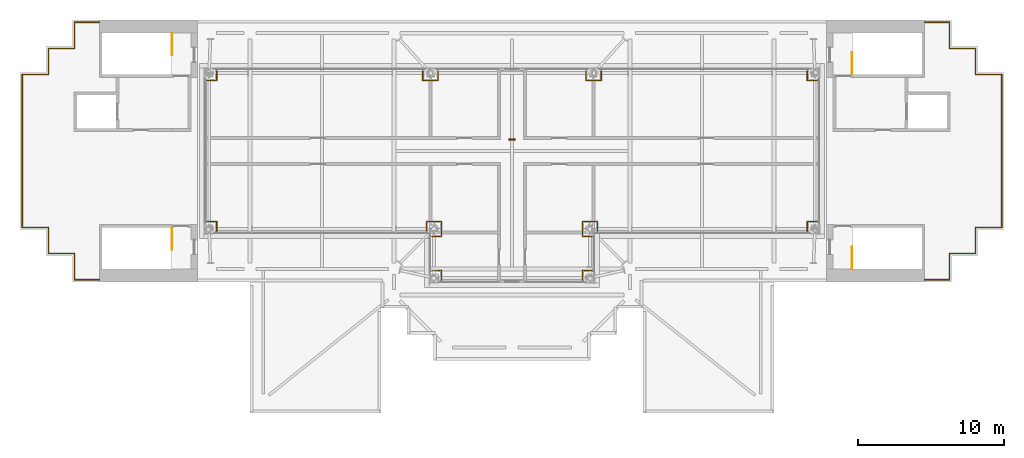
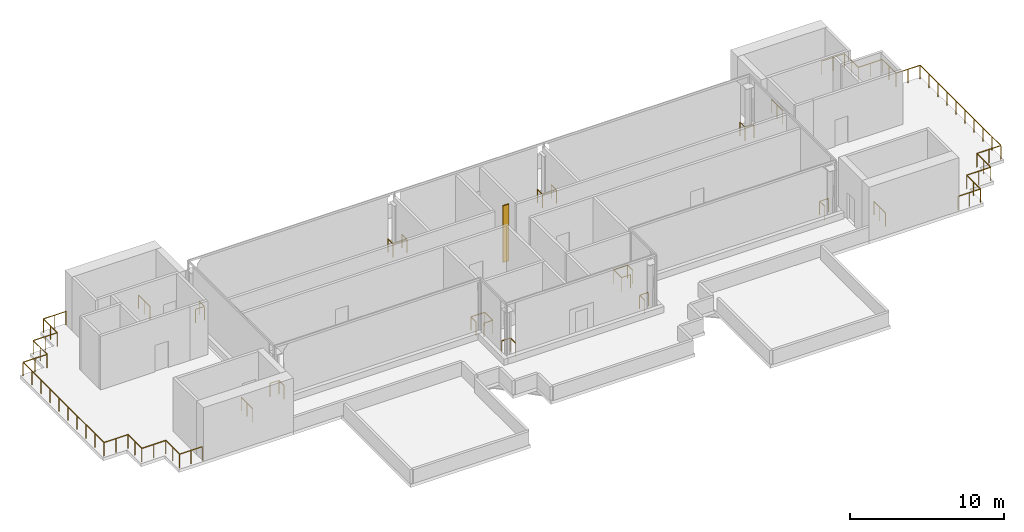
# One storey, part 8 of 8: 19 railings.
"""IFC4 building model written with IfcOpenShell, lengths in metres."""

import ifcopenshell
import ifcopenshell.guid

model = None  # the IFC model being written
_history = None  # IfcOwnerHistory: only IFC2X3 demands one
_inside = {}  # id of a spatial element -> (the spatial element, [elements in it])
_under = {}  # id of a project, library or spatial element -> (it, [spatial elements below it])
_declared = {}  # id of a project -> (the project, [libraries it declares])
_typed = {}  # id of a type object -> (the type object, [elements of that type])
_made_of = {}  # id of a material, layer set ... -> (it, [elements and type objects made of it])


def new_model(schema):
    """Start an empty IFC model of exactly this schema.

    Asked for "IFC4X3", IfcOpenShell would pick the latest addendum, in which some entities
    have other attributes; the version numbers below select the first issue.
    IFC2X3 requires an IfcOwnerHistory on every rooted entity: one is made here for all.
    """
    global model, _history
    if schema == "IFC4X3":
        model = ifcopenshell.file(schema_version=(4, 3, 0, 0))
    else:
        model = ifcopenshell.file(schema=schema)
    _inside.clear()
    _under.clear()
    _declared.clear()
    _typed.clear()
    _made_of.clear()
    _history = None
    if model.schema == "IFC2X3":
        org = make("IfcOrganization", Name="unknown")
        user = make(
            "IfcPersonAndOrganization",
            ThePerson=make("IfcPerson", FamilyName="unknown"),
            TheOrganization=org,
        )
        app = make(
            "IfcApplication",
            ApplicationDeveloper=org,
            Version="unknown",
            ApplicationFullName="unknown",
            ApplicationIdentifier="unknown",
        )
        _history = make(
            "IfcOwnerHistory",
            OwningUser=user,
            OwningApplication=app,
            ChangeAction="ADDED",
            CreationDate=0,
        )
    return model


def make(cls, **values):
    """One entity of the class cls with the attributes given. An attribute that is None is left unset."""
    return model.create_entity(
        cls, **{name: value for name, value in values.items() if value is not None}
    )


def rooted(cls, **values):
    """An entity with a GlobalId (a new one), such as an element, a storey or a relation."""
    return make(cls, GlobalId=ifcopenshell.guid.new(), OwnerHistory=_history, **values)


def si_unit(unit_type, name, prefix=None):
    """IfcSIUnit, for example si_unit("LENGTHUNIT", "METRE", prefix="MILLI")."""
    return make("IfcSIUnit", UnitType=unit_type, Prefix=prefix, Name=name)


def assignment(units):
    """IfcUnitAssignment: the units of a project."""
    return None if units is None else make("IfcUnitAssignment", Units=units)


def point(xyz):
    """IfcCartesianPoint."""
    return None if xyz is None else make("IfcCartesianPoint", Coordinates=xyz)


def direction(xyz):
    """IfcDirection."""
    return None if xyz is None else make("IfcDirection", DirectionRatios=xyz)


def frame(location, z_axis=None, x_axis=None):
    """IfcAxis2Placement3D, a coordinate frame: its origin and axes. An axis left out is left unset."""
    return make(
        "IfcAxis2Placement3D",
        Location=point(location),
        Axis=direction(z_axis),
        RefDirection=direction(x_axis),
    )


def frame_2d(location, x_axis=None):
    """IfcAxis2Placement2D, a coordinate frame in the plane: its origin and x axis."""
    return make(
        "IfcAxis2Placement2D", Location=point(location), RefDirection=direction(x_axis)
    )


def origin():
    """The frame at (0, 0, 0) with its axes left unset."""
    return frame((0.0, 0.0, 0.0))


def origin_2d():
    """The frame at (0, 0) in the plane with its x axis left unset."""
    return frame_2d((0.0, 0.0))


def place(relative_to, where):
    """IfcLocalPlacement: puts the frame where relative to a parent placement (None: the world)."""
    return make(
        "IfcLocalPlacement", PlacementRelTo=relative_to, RelativePlacement=where
    )


def context(
    kind, dimensions, precision=None, world=None, true_north=None, identifier=None
):
    """IfcGeometricRepresentationContext, for example the 3D "Model" context."""
    return make(
        "IfcGeometricRepresentationContext",
        ContextIdentifier=identifier,
        ContextType=kind,
        CoordinateSpaceDimension=dimensions,
        Precision=precision,
        WorldCoordinateSystem=world,
        TrueNorth=true_north,
    )


def subcontext(parent, identifier, kind, view, scale=None):
    """IfcGeometricRepresentationSubContext, for example "Body" below "Model"."""
    return make(
        "IfcGeometricRepresentationSubContext",
        ContextIdentifier=identifier,
        ContextType=kind,
        ParentContext=parent,
        TargetScale=scale,
        TargetView=view,
    )


def project(units=None, contexts=None):
    """IfcProject with its units and contexts."""
    return rooted(
        "IfcProject",
        Name="project",
        RepresentationContexts=contexts,
        UnitsInContext=assignment(units),
    )


def spatial(cls, under=None, at=None, **own):
    """A site, building, storey or space (cls), placed at a placement, below another one or the project."""
    s = rooted(cls, ObjectPlacement=at, **own)
    if under is not None:
        _under.setdefault(under.id(), (under, []))[1].append(s)
    return s


def profile(cls, at=None, kind="AREA", **sizes):
    """A parametric profile (cls). Its sizes go by their IFC names, for example OverallWidth=200.0."""
    return make(cls, ProfileType=kind, Position=at, **sizes)


def rectangle(**sizes):
    """IfcRectangleProfileDef."""
    return profile("IfcRectangleProfileDef", **sizes)


def extrude(swept, where, along, depth):
    """IfcExtrudedAreaSolid: the profile swept, set in the frame where, extruded along a direction by depth."""
    return make(
        "IfcExtrudedAreaSolid",
        SweptArea=swept,
        Position=where,
        ExtrudedDirection=direction(along),
        Depth=depth,
    )


def shape(context_of_items, identifier, shape_type, items):
    """IfcShapeRepresentation: the items that make up one representation, for example the "Body"."""
    return make(
        "IfcShapeRepresentation",
        ContextOfItems=context_of_items,
        RepresentationIdentifier=identifier,
        RepresentationType=shape_type,
        Items=items,
    )


def material(Name=None, Category=None):
    """IfcMaterial."""
    return make("IfcMaterial", Name=Name, Category=Category)


def made_of(thing, what):
    """Note that an element or type object is made of a material, layer set ...; save() writes the relation."""
    if what is not None:
        _made_of.setdefault(what.id(), (what, []))[1].append(thing)
    return thing


def type_object(cls, material=None, **own):
    """A type object (cls), such as IfcWallType, which elements share."""
    return made_of(rooted(cls, **own), material)


def element(
    cls,
    number,
    at=None,
    inside=None,
    cuts=None,
    type_object=None,
    material=None,
    context=None,
    identifier="Body",
    shape_type=None,
    held_by="IfcProductDefinitionShape",
    body=None,
    shapes=None,
    **own,
):
    """One element of the class cls, such as IfcWall. Its Tag is "e" and its number.

    at: its placement. inside: the storey or other place that contains it. cuts: it is an
    opening in that element (IfcRelVoidsElement). A single representation is given by context,
    identifier, shape_type and body (its items); several are given by shapes. held_by: the class
    of the entity that holds the representations. save() writes the other relations.
    """
    e = rooted(cls, Tag="e%d" % number, ObjectPlacement=at, **own)
    if body is not None:
        shapes = [shape(context, identifier, shape_type, body)]
    if shapes is not None:
        e.Representation = make(held_by, Representations=shapes)
    if inside is not None:
        _inside.setdefault(inside.id(), (inside, []))[1].append(e)
    if cuts is not None:
        rooted(
            "IfcRelVoidsElement", RelatingBuildingElement=cuts, RelatedOpeningElement=e
        )
    if type_object is not None:
        _typed.setdefault(type_object.id(), (type_object, []))[1].append(e)
    return made_of(e, material)


def aggregate(whole, parts):
    """IfcRelAggregates: a whole, such as a stair, and the parts it consists of."""
    return rooted("IfcRelAggregates", RelatingObject=whole, RelatedObjects=parts)


def save(model, path):
    """Write the relations noted so far, then the file.

    IfcRelAggregates (storeys below a building ...), IfcRelContainedInSpatialStructure (elements
    in a storey), IfcRelDefinesByType, IfcRelAssociatesMaterial and IfcRelDeclares: one each for
    every whole, place, type object, material and project.
    """
    for whole, parts in _under.values():
        aggregate(whole, parts)
    for where, things in _inside.values():
        rooted(
            "IfcRelContainedInSpatialStructure",
            RelatedElements=things,
            RelatingStructure=where,
        )
    for kind, things in _typed.values():
        rooted("IfcRelDefinesByType", RelatedObjects=things, RelatingType=kind)
    for what, things in _made_of.values():
        rooted("IfcRelAssociatesMaterial", RelatedObjects=things, RelatingMaterial=what)
    for by, libraries in _declared.values():
        rooted("IfcRelDeclares", RelatingContext=by, RelatedDefinitions=libraries)
    model.write(path)


model = new_model("IFC4")

# Units and contexts
model_context = context("Model", 3, precision=1e-05, world=origin(), true_north=direction((0.0, 1.0)))
body_context = subcontext(model_context, "Body", "Model", "MODEL_VIEW")
ifc_project = project(units=[si_unit("LENGTHUNIT", "METRE"), si_unit("AREAUNIT", "SQUARE_METRE"), si_unit("VOLUMEUNIT", "CUBIC_METRE"), si_unit("PLANEANGLEUNIT", "RADIAN"), si_unit("MASSUNIT", "GRAM", prefix="KILO")], contexts=[model_context])

# Site, building, storey
site_placement = place(None, origin())
site = spatial("IfcSite", under=ifc_project, at=site_placement, CompositionType="ELEMENT")
building_placement = place(site_placement, origin())
building = spatial("IfcBuilding", under=site, at=building_placement, Name="Perihelion Cross Residences", CompositionType="ELEMENT")
storey_placement = place(building_placement, frame((0.0, 0.0, 298.800048828125)))
storey = spatial("IfcBuildingStorey", under=building, at=storey_placement, Name="L76", CompositionType="ELEMENT", Elevation=298.800048828125)

# Railings
ifc_material_1 = material(Name="Galvanised steel S355", Category="steel")
railing_type_1 = type_object("IfcRailingType", Name="Fixed access ladder", PredefinedType="NOTDEFINED", material=ifc_material_1)
railing_1_placement = place(storey_placement, frame((0.0, 0.800048828125, 0.0), z_axis=(0.0, 0.0, 1.0), x_axis=(1.0, 0.0, 0.0)))
element("IfcRailing", 1, at=railing_1_placement, inside=storey, type_object=railing_type_1, Name="Fixed access ladder", PredefinedType="NOTDEFINED", context=body_context, shape_type="SweptSolid", body=[
    extrude(rectangle(XDim=0.449951171875, YDim=0.10009765625, at=origin_2d()), origin(), (0.0, 0.0, 1.0), 4.5),
])
ifc_material_2 = material(Name="Bronze anodised aluminium", Category="aluminium")
railing_type_2 = type_object("IfcRailingType", Name="Roof guard 1100", PredefinedType="GUARDRAIL", material=ifc_material_2)
railing_2_placement = place(storey_placement, frame((-20.95751953125, -4.839111328125, 0.0)))
element("IfcRailing", 2, at=railing_2_placement, inside=storey, type_object=railing_type_2, Name="Guard GU3 L76 crown 1 1", PredefinedType="GUARDRAIL", context=body_context, shape_type="SweptSolid", body=[
    extrude(rectangle(XDim=0.048095703125, YDim=0.048095703125, at=origin_2d()), frame((0.0, 0.0, 1.076171875), z_axis=(1.0, 0.0, 0.0), x_axis=(0.0, 1.0, 0.0)), (0.0, 0.0, 1.0), 0.668212890625),
    extrude(rectangle(XDim=0.048095703125, YDim=0.048095703125, at=origin_2d()), frame((0.668212890625, 0.0, 1.076171875), z_axis=(0.0, -1.0, 0.0), x_axis=(1.0, 0.0, 0.0)), (0.0, 0.0, 1.0), 0.66796875),
    extrude(rectangle(XDim=0.0419921875, YDim=0.0419921875, at=origin_2d()), origin(), (0.0, 0.0, 1.0), 1.052001953125),
    extrude(rectangle(XDim=0.0419921875, YDim=0.0419921875, at=origin_2d()), frame((0.668212890625, 0.0, 0.0)), (0.0, 0.0, 1.0), 1.052001953125),
    extrude(rectangle(XDim=0.0419921875, YDim=0.0419921875, at=origin_2d()), frame((0.668212890625, -0.66796875, 0.0)), (0.0, 0.0, 1.0), 1.052001953125),
])
railing_3_placement = place(storey_placement, frame((-20.289306640625, 5.507080078125, 0.0)))
element("IfcRailing", 3, at=railing_3_placement, inside=storey, type_object=railing_type_2, Name="Guard GU3 L76 crown 2 1", PredefinedType="GUARDRAIL", context=body_context, shape_type="SweptSolid", body=[
    extrude(rectangle(XDim=0.048095703125, YDim=0.048095703125, at=origin_2d()), frame((0.0, 0.0, 1.076171875), z_axis=(0.0, -1.0, 0.0), x_axis=(1.0, 0.0, 0.0)), (0.0, 0.0, 1.0), 0.66796875),
    extrude(rectangle(XDim=0.048095703125, YDim=0.048095703125, at=origin_2d()), frame((0.0, -0.66796875, 1.076171875), z_axis=(-1.0, 0.0, 0.0), x_axis=(0.0, -1.0, 0.0)), (0.0, 0.0, 1.0), 0.668212890625),
    extrude(rectangle(XDim=0.0419921875, YDim=0.0419921875, at=origin_2d()), origin(), (0.0, 0.0, 1.0), 1.052001953125),
    extrude(rectangle(XDim=0.0419921875, YDim=0.0419921875, at=origin_2d()), frame((0.0, -0.66796875, 0.0)), (0.0, 0.0, 1.0), 1.052001953125),
    extrude(rectangle(XDim=0.0419921875, YDim=0.0419921875, at=origin_2d()), frame((-0.668212890625, -0.66796875, 0.0)), (0.0, 0.0, 1.0), 1.052001953125),
])
railing_4_placement = place(storey_placement, frame((-5.0869140625, 5.507080078125, 0.0)))
element("IfcRailing", 4, at=railing_4_placement, inside=storey, type_object=railing_type_2, Name="Guard GU3 L76 crown 3 1", PredefinedType="GUARDRAIL", context=body_context, shape_type="SweptSolid", body=[
    extrude(rectangle(XDim=0.048095703125, YDim=0.048095703125, at=origin_2d()), frame((0.0, 0.0, 1.076171875), z_axis=(0.0, -1.0, 0.0), x_axis=(1.0, 0.0, 0.0)), (0.0, 0.0, 1.0), 0.66796875),
    extrude(rectangle(XDim=0.048095703125, YDim=0.048095703125, at=origin_2d()), frame((0.0, -0.66796875, 1.076171875), z_axis=(-1.0, 0.0, 0.0), x_axis=(0.0, -1.0, 0.0)), (0.0, 0.0, 1.0), 1.0400390625),
    extrude(rectangle(XDim=0.048095703125, YDim=0.048095703125, at=origin_2d()), frame((-1.0400390625, -0.66796875, 1.076171875), z_axis=(0.0, 1.0, 0.0), x_axis=(-1.0, 0.0, 0.0)), (0.0, 0.0, 1.0), 0.66796875),
    extrude(rectangle(XDim=0.0419921875, YDim=0.0419921875, at=origin_2d()), origin(), (0.0, 0.0, 1.0), 1.052001953125),
    extrude(rectangle(XDim=0.0419921875, YDim=0.0419921875, at=origin_2d()), frame((0.0, -0.66796875, 0.0)), (0.0, 0.0, 1.0), 1.052001953125),
    extrude(rectangle(XDim=0.0419921875, YDim=0.0419921875, at=origin_2d()), frame((-1.0400390625, -0.66796875, 0.0)), (0.0, 0.0, 1.0), 1.052001953125),
    extrude(rectangle(XDim=0.0419921875, YDim=0.0419921875, at=origin_2d()), frame((-1.0400390625, 0.0, 0.0)), (0.0, 0.0, 1.0), 1.052001953125),
])
railing_5_placement = place(storey_placement, frame((-5.87890625, -5.507080078125, 0.0)))
element("IfcRailing", 5, at=railing_5_placement, inside=storey, type_object=railing_type_2, Name="Guard GU3 L76 crown 4 1", PredefinedType="GUARDRAIL", context=body_context, shape_type="SweptSolid", body=[
    extrude(rectangle(XDim=0.048095703125, YDim=0.048095703125, at=origin_2d()), frame((0.0, 0.0, 1.076171875), z_axis=(0.0, 1.0, 0.0), x_axis=(-1.0, 0.0, 0.0)), (0.0, 0.0, 1.0), 0.66796875),
    extrude(rectangle(XDim=0.048095703125, YDim=0.048095703125, at=origin_2d()), frame((0.0, 0.66796875, 1.076171875), z_axis=(1.0, 0.0, 0.0), x_axis=(0.0, 1.0, 0.0)), (0.0, 0.0, 1.0), 1.039794921875),
    extrude(rectangle(XDim=0.048095703125, YDim=0.048095703125, at=origin_2d()), frame((1.039794921875, 0.66796875, 1.076171875), z_axis=(0.0, -1.0, 0.0), x_axis=(1.0, 0.0, 0.0)), (0.0, 0.0, 1.0), 1.039794921875),
    extrude(rectangle(XDim=0.048095703125, YDim=0.048095703125, at=origin_2d()), frame((1.039794921875, -0.371826171875, 1.076171875), z_axis=(-1.0, 0.0, 0.0), x_axis=(0.0, -1.0, 0.0)), (0.0, 0.0, 1.0), 0.66796875),
    extrude(rectangle(XDim=0.0419921875, YDim=0.0419921875, at=origin_2d()), origin(), (0.0, 0.0, 1.0), 1.052001953125),
    extrude(rectangle(XDim=0.0419921875, YDim=0.0419921875, at=origin_2d()), frame((0.0, 0.66796875, 0.0)), (0.0, 0.0, 1.0), 1.052001953125),
    extrude(rectangle(XDim=0.0419921875, YDim=0.0419921875, at=origin_2d()), frame((1.039794921875, 0.66796875, 0.0)), (0.0, 0.0, 1.0), 1.052001953125),
    extrude(rectangle(XDim=0.0419921875, YDim=0.0419921875, at=origin_2d()), frame((1.039794921875, -0.371826171875, 0.0)), (0.0, 0.0, 1.0), 1.052001953125),
    extrude(rectangle(XDim=0.0419921875, YDim=0.0419921875, at=origin_2d()), frame((0.371826171875, -0.371826171875, 0.0)), (0.0, 0.0, 1.0), 1.052001953125),
])
railing_6_placement = place(storey_placement, frame((-5.507080078125, -8.203125, 0.0)))
element("IfcRailing", 6, at=railing_6_placement, inside=storey, type_object=railing_type_2, Name="Guard GU3 L76 crown 5 1", PredefinedType="GUARDRAIL", context=body_context, shape_type="SweptSolid", body=[
    extrude(rectangle(XDim=0.048095703125, YDim=0.048095703125, at=origin_2d()), frame((0.0, 0.0, 1.076171875), z_axis=(1.0, 0.0, 0.0), x_axis=(0.0, 1.0, 0.0)), (0.0, 0.0, 1.0), 0.66796875),
    extrude(rectangle(XDim=0.048095703125, YDim=0.048095703125, at=origin_2d()), frame((0.66796875, 0.0, 1.076171875), z_axis=(0.0, -1.0, 0.0), x_axis=(1.0, 0.0, 0.0)), (0.0, 0.0, 1.0), 0.66796875),
    extrude(rectangle(XDim=0.0419921875, YDim=0.0419921875, at=origin_2d()), origin(), (0.0, 0.0, 1.0), 1.052001953125),
    extrude(rectangle(XDim=0.0419921875, YDim=0.0419921875, at=origin_2d()), frame((0.66796875, 0.0, 0.0)), (0.0, 0.0, 1.0), 1.052001953125),
    extrude(rectangle(XDim=0.0419921875, YDim=0.0419921875, at=origin_2d()), frame((0.66796875, -0.66796875, 0.0)), (0.0, 0.0, 1.0), 1.052001953125),
])
railing_7_placement = place(storey_placement, frame((4.839111328125, -8.87109375, 0.0)))
element("IfcRailing", 7, at=railing_7_placement, inside=storey, type_object=railing_type_2, Name="Guard GU3 L76 crown 6 1", PredefinedType="GUARDRAIL", context=body_context, shape_type="SweptSolid", body=[
    extrude(rectangle(XDim=0.048095703125, YDim=0.048095703125, at=origin_2d()), frame((0.0, 0.0, 1.076171875), z_axis=(0.0, 1.0, 0.0), x_axis=(-1.0, 0.0, 0.0)), (0.0, 0.0, 1.0), 0.66796875),
    extrude(rectangle(XDim=0.048095703125, YDim=0.048095703125, at=origin_2d()), frame((0.0, 0.66796875, 1.076171875), z_axis=(1.0, 0.0, 0.0), x_axis=(0.0, 1.0, 0.0)), (0.0, 0.0, 1.0), 0.66796875),
    extrude(rectangle(XDim=0.0419921875, YDim=0.0419921875, at=origin_2d()), origin(), (0.0, 0.0, 1.0), 1.052001953125),
    extrude(rectangle(XDim=0.0419921875, YDim=0.0419921875, at=origin_2d()), frame((0.0, 0.66796875, 0.0)), (0.0, 0.0, 1.0), 1.052001953125),
    extrude(rectangle(XDim=0.0419921875, YDim=0.0419921875, at=origin_2d()), frame((0.66796875, 0.66796875, 0.0)), (0.0, 0.0, 1.0), 1.052001953125),
])
railing_8_placement = place(storey_placement, frame((5.507080078125, -5.87890625, 0.0)))
element("IfcRailing", 8, at=railing_8_placement, inside=storey, type_object=railing_type_2, Name="Guard GU3 L76 crown 7 1", PredefinedType="GUARDRAIL", context=body_context, shape_type="SweptSolid", body=[
    extrude(rectangle(XDim=0.048095703125, YDim=0.048095703125, at=origin_2d()), frame((0.0, 0.0, 1.076171875), z_axis=(-1.0, 0.0, 0.0), x_axis=(0.0, -1.0, 0.0)), (0.0, 0.0, 1.0), 0.66796875),
    extrude(rectangle(XDim=0.048095703125, YDim=0.048095703125, at=origin_2d()), frame((-0.66796875, 0.0, 1.076171875), z_axis=(0.0, 1.0, 0.0), x_axis=(-1.0, 0.0, 0.0)), (0.0, 0.0, 1.0), 1.039794921875),
    extrude(rectangle(XDim=0.048095703125, YDim=0.048095703125, at=origin_2d()), frame((-0.66796875, 1.039794921875, 1.076171875), z_axis=(1.0, 0.0, 0.0), x_axis=(0.0, 1.0, 0.0)), (0.0, 0.0, 1.0), 1.039794921875),
    extrude(rectangle(XDim=0.048095703125, YDim=0.048095703125, at=origin_2d()), frame((0.371826171875, 1.039794921875, 1.076171875), z_axis=(0.0, -1.0, 0.0), x_axis=(1.0, 0.0, 0.0)), (0.0, 0.0, 1.0), 0.66796875),
    extrude(rectangle(XDim=0.0419921875, YDim=0.0419921875, at=origin_2d()), origin(), (0.0, 0.0, 1.0), 1.052001953125),
    extrude(rectangle(XDim=0.0419921875, YDim=0.0419921875, at=origin_2d()), frame((-0.66796875, 0.0, 0.0)), (0.0, 0.0, 1.0), 1.052001953125),
    extrude(rectangle(XDim=0.0419921875, YDim=0.0419921875, at=origin_2d()), frame((-0.66796875, 1.039794921875, 0.0)), (0.0, 0.0, 1.0), 1.052001953125),
    extrude(rectangle(XDim=0.0419921875, YDim=0.0419921875, at=origin_2d()), frame((0.371826171875, 1.039794921875, 0.0)), (0.0, 0.0, 1.0), 1.052001953125),
    extrude(rectangle(XDim=0.0419921875, YDim=0.0419921875, at=origin_2d()), frame((0.371826171875, 0.371826171875, 0.0)), (0.0, 0.0, 1.0), 1.052001953125),
])
railing_9_placement = place(storey_placement, frame((6.126953125, 5.507080078125, 0.0)))
element("IfcRailing", 9, at=railing_9_placement, inside=storey, type_object=railing_type_2, Name="Guard GU3 L76 crown 8 1", PredefinedType="GUARDRAIL", context=body_context, shape_type="SweptSolid", body=[
    extrude(rectangle(XDim=0.048095703125, YDim=0.048095703125, at=origin_2d()), frame((0.0, 0.0, 1.076171875), z_axis=(0.0, -1.0, 0.0), x_axis=(1.0, 0.0, 0.0)), (0.0, 0.0, 1.0), 0.66796875),
    extrude(rectangle(XDim=0.048095703125, YDim=0.048095703125, at=origin_2d()), frame((0.0, -0.66796875, 1.076171875), z_axis=(-1.0, 0.0, 0.0), x_axis=(0.0, -1.0, 0.0)), (0.0, 0.0, 1.0), 1.0400390625),
    extrude(rectangle(XDim=0.048095703125, YDim=0.048095703125, at=origin_2d()), frame((-1.0400390625, -0.66796875, 1.076171875), z_axis=(0.0, 1.0, 0.0), x_axis=(-1.0, 0.0, 0.0)), (0.0, 0.0, 1.0), 0.66796875),
    extrude(rectangle(XDim=0.0419921875, YDim=0.0419921875, at=origin_2d()), origin(), (0.0, 0.0, 1.0), 1.052001953125),
    extrude(rectangle(XDim=0.0419921875, YDim=0.0419921875, at=origin_2d()), frame((0.0, -0.66796875, 0.0)), (0.0, 0.0, 1.0), 1.052001953125),
    extrude(rectangle(XDim=0.0419921875, YDim=0.0419921875, at=origin_2d()), frame((-1.0400390625, -0.66796875, 0.0)), (0.0, 0.0, 1.0), 1.052001953125),
    extrude(rectangle(XDim=0.0419921875, YDim=0.0419921875, at=origin_2d()), frame((-1.0400390625, 0.0, 0.0)), (0.0, 0.0, 1.0), 1.052001953125),
])
railing_10_placement = place(storey_placement, frame((20.289306640625, -5.507080078125, 0.0)))
element("IfcRailing", 10, at=railing_10_placement, inside=storey, type_object=railing_type_2, Name="Guard GU3 L76 crown 9 1", PredefinedType="GUARDRAIL", context=body_context, shape_type="SweptSolid", body=[
    extrude(rectangle(XDim=0.048095703125, YDim=0.048095703125, at=origin_2d()), frame((0.0, 0.0, 1.076171875), z_axis=(0.0, 1.0, 0.0), x_axis=(-1.0, 0.0, 0.0)), (0.0, 0.0, 1.0), 0.66796875),
    extrude(rectangle(XDim=0.048095703125, YDim=0.048095703125, at=origin_2d()), frame((0.0, 0.66796875, 1.076171875), z_axis=(1.0, 0.0, 0.0), x_axis=(0.0, 1.0, 0.0)), (0.0, 0.0, 1.0), 0.668212890625),
    extrude(rectangle(XDim=0.0419921875, YDim=0.0419921875, at=origin_2d()), origin(), (0.0, 0.0, 1.0), 1.052001953125),
    extrude(rectangle(XDim=0.0419921875, YDim=0.0419921875, at=origin_2d()), frame((0.0, 0.66796875, 0.0)), (0.0, 0.0, 1.0), 1.052001953125),
    extrude(rectangle(XDim=0.0419921875, YDim=0.0419921875, at=origin_2d()), frame((0.668212890625, 0.66796875, 0.0)), (0.0, 0.0, 1.0), 1.052001953125),
])
railing_11_placement = place(storey_placement, frame((20.95751953125, 4.839111328125, 0.0)))
element("IfcRailing", 11, at=railing_11_placement, inside=storey, type_object=railing_type_2, Name="Guard GU3 L76 crown 10 1", PredefinedType="GUARDRAIL", context=body_context, shape_type="SweptSolid", body=[
    extrude(rectangle(XDim=0.048095703125, YDim=0.048095703125, at=origin_2d()), frame((0.0, 0.0, 1.076171875), z_axis=(-1.0, 0.0, 0.0), x_axis=(0.0, -1.0, 0.0)), (0.0, 0.0, 1.0), 0.668212890625),
    extrude(rectangle(XDim=0.048095703125, YDim=0.048095703125, at=origin_2d()), frame((-0.668212890625, 0.0, 1.076171875), z_axis=(0.0, 1.0, 0.0), x_axis=(-1.0, 0.0, 0.0)), (0.0, 0.0, 1.0), 0.66796875),
    extrude(rectangle(XDim=0.0419921875, YDim=0.0419921875, at=origin_2d()), origin(), (0.0, 0.0, 1.0), 1.052001953125),
    extrude(rectangle(XDim=0.0419921875, YDim=0.0419921875, at=origin_2d()), frame((-0.668212890625, 0.0, 0.0)), (0.0, 0.0, 1.0), 1.052001953125),
    extrude(rectangle(XDim=0.0419921875, YDim=0.0419921875, at=origin_2d()), frame((-0.668212890625, 0.66796875, 0.0)), (0.0, 0.0, 1.0), 1.052001953125),
])
railing_12_placement = place(storey_placement, frame((30.050048828125, 7.050048828125, 0.0)))
element("IfcRailing", 12, at=railing_12_placement, inside=storey, type_object=railing_type_2, Name="Guard GU3 L76 core roof east 1", PredefinedType="GUARDRAIL", context=body_context, shape_type="SweptSolid", body=[
    extrude(rectangle(XDim=0.048095703125, YDim=0.048095703125, at=origin_2d()), frame((0.0, 0.0, 1.076171875), z_axis=(1.0, 0.0, 0.0), x_axis=(0.0, 1.0, 0.0)), (0.0, 0.0, 1.0), 1.800048828125),
    extrude(rectangle(XDim=0.048095703125, YDim=0.048095703125, at=origin_2d()), frame((1.800048828125, 0.0, 1.076171875), z_axis=(0.0, -1.0, 0.0), x_axis=(1.0, 0.0, 0.0)), (0.0, 0.0, 1.0), 1.800048828125),
    extrude(rectangle(XDim=0.048095703125, YDim=0.048095703125, at=origin_2d()), frame((1.800048828125, -1.800048828125, 1.076171875), z_axis=(1.0, 0.0, 0.0), x_axis=(0.0, 1.0, 0.0)), (0.0, 0.0, 1.0), 1.7998046875),
    extrude(rectangle(XDim=0.048095703125, YDim=0.048095703125, at=origin_2d()), frame((3.599853515625, -1.800048828125, 1.076171875), z_axis=(0.0, -1.0, 0.0), x_axis=(1.0, 0.0, 0.0)), (0.0, 0.0, 1.0), 10.5),
    extrude(rectangle(XDim=0.048095703125, YDim=0.048095703125, at=origin_2d()), frame((3.599853515625, -12.300048828125, 1.076171875), z_axis=(-1.0, 0.0, 0.0), x_axis=(0.0, -1.0, 0.0)), (0.0, 0.0, 1.0), 1.7998046875),
    extrude(rectangle(XDim=0.048095703125, YDim=0.048095703125, at=origin_2d()), frame((1.800048828125, -12.300048828125, 1.076171875), z_axis=(0.0, -1.0, 0.0), x_axis=(1.0, 0.0, 0.0)), (0.0, 0.0, 1.0), 1.800048828125),
    extrude(rectangle(XDim=0.048095703125, YDim=0.048095703125, at=origin_2d()), frame((1.800048828125, -14.10009765625, 1.076171875), z_axis=(-1.0, 0.0, 0.0), x_axis=(0.0, -1.0, 0.0)), (0.0, 0.0, 1.0), 1.800048828125),
    extrude(rectangle(XDim=0.048095703125, YDim=0.048095703125, at=origin_2d()), frame((0.0, -14.10009765625, 1.076171875), z_axis=(0.0, -1.0, 0.0), x_axis=(1.0, 0.0, 0.0)), (0.0, 0.0, 1.0), 1.800048828125),
    extrude(rectangle(XDim=0.048095703125, YDim=0.048095703125, at=origin_2d()), frame((0.0, -15.900146484375, 1.076171875), z_axis=(-1.0, 0.0, 0.0), x_axis=(0.0, -1.0, 0.0)), (0.0, 0.0, 1.0), 1.699951171875),
    extrude(rectangle(XDim=0.0419921875, YDim=0.0419921875, at=origin_2d()), origin(), (0.0, 0.0, 1.0), 1.052001953125),
    extrude(rectangle(XDim=0.0419921875, YDim=0.0419921875, at=origin_2d()), frame((0.89990234375, 0.0, 0.0)), (0.0, 0.0, 1.0), 1.052001953125),
    extrude(rectangle(XDim=0.0419921875, YDim=0.0419921875, at=origin_2d()), frame((1.800048828125, 0.0, 0.0)), (0.0, 0.0, 1.0), 1.052001953125),
    extrude(rectangle(XDim=0.0419921875, YDim=0.0419921875, at=origin_2d()), frame((1.800048828125, -0.89990234375, 0.0)), (0.0, 0.0, 1.0), 1.052001953125),
    extrude(rectangle(XDim=0.0419921875, YDim=0.0419921875, at=origin_2d()), frame((1.800048828125, -1.800048828125, 0.0)), (0.0, 0.0, 1.0), 1.052001953125),
    extrude(rectangle(XDim=0.0419921875, YDim=0.0419921875, at=origin_2d()), frame((2.699951171875, -1.800048828125, 0.0)), (0.0, 0.0, 1.0), 1.052001953125),
    extrude(rectangle(XDim=0.0419921875, YDim=0.0419921875, at=origin_2d()), frame((3.599853515625, -1.800048828125, 0.0)), (0.0, 0.0, 1.0), 1.052001953125),
    extrude(rectangle(XDim=0.0419921875, YDim=0.0419921875, at=origin_2d()), frame((3.599853515625, -2.966796875, 0.0)), (0.0, 0.0, 1.0), 1.052001953125),
    extrude(rectangle(XDim=0.0419921875, YDim=0.0419921875, at=origin_2d()), frame((3.599853515625, -4.13330078125, 0.0)), (0.0, 0.0, 1.0), 1.052001953125),
    extrude(rectangle(XDim=0.0419921875, YDim=0.0419921875, at=origin_2d()), frame((3.599853515625, -5.300048828125, 0.0)), (0.0, 0.0, 1.0), 1.052001953125),
    extrude(rectangle(XDim=0.0419921875, YDim=0.0419921875, at=origin_2d()), frame((3.599853515625, -6.466796875, 0.0)), (0.0, 0.0, 1.0), 1.052001953125),
    extrude(rectangle(XDim=0.0419921875, YDim=0.0419921875, at=origin_2d()), frame((3.599853515625, -7.63330078125, 0.0)), (0.0, 0.0, 1.0), 1.052001953125),
    extrude(rectangle(XDim=0.0419921875, YDim=0.0419921875, at=origin_2d()), frame((3.599853515625, -8.800048828125, 0.0)), (0.0, 0.0, 1.0), 1.052001953125),
    extrude(rectangle(XDim=0.0419921875, YDim=0.0419921875, at=origin_2d()), frame((3.599853515625, -9.966796875, 0.0)), (0.0, 0.0, 1.0), 1.052001953125),
    extrude(rectangle(XDim=0.0419921875, YDim=0.0419921875, at=origin_2d()), frame((3.599853515625, -11.13330078125, 0.0)), (0.0, 0.0, 1.0), 1.052001953125),
    extrude(rectangle(XDim=0.0419921875, YDim=0.0419921875, at=origin_2d()), frame((3.599853515625, -12.300048828125, 0.0)), (0.0, 0.0, 1.0), 1.052001953125),
    extrude(rectangle(XDim=0.0419921875, YDim=0.0419921875, at=origin_2d()), frame((2.699951171875, -12.300048828125, 0.0)), (0.0, 0.0, 1.0), 1.052001953125),
    extrude(rectangle(XDim=0.0419921875, YDim=0.0419921875, at=origin_2d()), frame((1.800048828125, -12.300048828125, 0.0)), (0.0, 0.0, 1.0), 1.052001953125),
    extrude(rectangle(XDim=0.0419921875, YDim=0.0419921875, at=origin_2d()), frame((1.800048828125, -13.2001953125, 0.0)), (0.0, 0.0, 1.0), 1.052001953125),
    extrude(rectangle(XDim=0.0419921875, YDim=0.0419921875, at=origin_2d()), frame((1.800048828125, -14.10009765625, 0.0)), (0.0, 0.0, 1.0), 1.052001953125),
    extrude(rectangle(XDim=0.0419921875, YDim=0.0419921875, at=origin_2d()), frame((0.89990234375, -14.10009765625, 0.0)), (0.0, 0.0, 1.0), 1.052001953125),
    extrude(rectangle(XDim=0.0419921875, YDim=0.0419921875, at=origin_2d()), frame((0.0, -14.10009765625, 0.0)), (0.0, 0.0, 1.0), 1.052001953125),
    extrude(rectangle(XDim=0.0419921875, YDim=0.0419921875, at=origin_2d()), frame((0.0, -15.0, 0.0)), (0.0, 0.0, 1.0), 1.052001953125),
    extrude(rectangle(XDim=0.0419921875, YDim=0.0419921875, at=origin_2d()), frame((0.0, -15.900146484375, 0.0)), (0.0, 0.0, 1.0), 1.052001953125),
    extrude(rectangle(XDim=0.0419921875, YDim=0.0419921875, at=origin_2d()), frame((-0.85009765625, -15.900146484375, 0.0)), (0.0, 0.0, 1.0), 1.052001953125),
    extrude(rectangle(XDim=0.0419921875, YDim=0.0419921875, at=origin_2d()), frame((-1.699951171875, -15.900146484375, 0.0)), (0.0, 0.0, 1.0), 1.052001953125),
])
railing_13_placement = place(storey_placement, frame((28.35009765625, 8.85009765625, 0.0)))
element("IfcRailing", 13, at=railing_13_placement, inside=storey, type_object=railing_type_2, Name="Guard GU3 L76 core roof east 2", PredefinedType="GUARDRAIL", context=body_context, shape_type="SweptSolid", body=[
    extrude(rectangle(XDim=0.048095703125, YDim=0.048095703125, at=origin_2d()), frame((0.0, 0.0, 1.076171875), z_axis=(1.0, 0.0, 0.0), x_axis=(0.0, 1.0, 0.0)), (0.0, 0.0, 1.0), 1.699951171875),
    extrude(rectangle(XDim=0.048095703125, YDim=0.048095703125, at=origin_2d()), frame((1.699951171875, 0.0, 1.076171875), z_axis=(0.0, -1.0, 0.0), x_axis=(1.0, 0.0, 0.0)), (0.0, 0.0, 1.0), 1.800048828125),
    extrude(rectangle(XDim=0.0419921875, YDim=0.0419921875, at=origin_2d()), origin(), (0.0, 0.0, 1.0), 1.052001953125),
    extrude(rectangle(XDim=0.0419921875, YDim=0.0419921875, at=origin_2d()), frame((0.85009765625, 0.0, 0.0)), (0.0, 0.0, 1.0), 1.052001953125),
    extrude(rectangle(XDim=0.0419921875, YDim=0.0419921875, at=origin_2d()), frame((1.699951171875, 0.0, 0.0)), (0.0, 0.0, 1.0), 1.052001953125),
    extrude(rectangle(XDim=0.0419921875, YDim=0.0419921875, at=origin_2d()), frame((1.699951171875, -0.89990234375, 0.0)), (0.0, 0.0, 1.0), 1.052001953125),
    extrude(rectangle(XDim=0.0419921875, YDim=0.0419921875, at=origin_2d()), frame((1.699951171875, -1.800048828125, 0.0)), (0.0, 0.0, 1.0), 1.052001953125),
])
railing_14_placement = place(storey_placement, frame((-30.050048828125, 7.050048828125, 0.0)))
element("IfcRailing", 14, at=railing_14_placement, inside=storey, type_object=railing_type_2, Name="Guard GU3 L76 core roof west 1", PredefinedType="GUARDRAIL", context=body_context, shape_type="SweptSolid", body=[
    extrude(rectangle(XDim=0.048095703125, YDim=0.048095703125, at=origin_2d()), frame((0.0, 0.0, 1.076171875), z_axis=(-1.0, 0.0, 0.0), x_axis=(0.0, -1.0, 0.0)), (0.0, 0.0, 1.0), 1.800048828125),
    extrude(rectangle(XDim=0.048095703125, YDim=0.048095703125, at=origin_2d()), frame((-1.800048828125, 0.0, 1.076171875), z_axis=(0.0, -1.0, 0.0), x_axis=(1.0, 0.0, 0.0)), (0.0, 0.0, 1.0), 1.800048828125),
    extrude(rectangle(XDim=0.048095703125, YDim=0.048095703125, at=origin_2d()), frame((-1.800048828125, -1.800048828125, 1.076171875), z_axis=(-1.0, 0.0, 0.0), x_axis=(0.0, -1.0, 0.0)), (0.0, 0.0, 1.0), 1.7998046875),
    extrude(rectangle(XDim=0.048095703125, YDim=0.048095703125, at=origin_2d()), frame((-3.599853515625, -1.800048828125, 1.076171875), z_axis=(0.0, -1.0, 0.0), x_axis=(1.0, 0.0, 0.0)), (0.0, 0.0, 1.0), 10.5),
    extrude(rectangle(XDim=0.048095703125, YDim=0.048095703125, at=origin_2d()), frame((-3.599853515625, -12.300048828125, 1.076171875), z_axis=(1.0, 0.0, 0.0), x_axis=(0.0, 1.0, 0.0)), (0.0, 0.0, 1.0), 1.7998046875),
    extrude(rectangle(XDim=0.048095703125, YDim=0.048095703125, at=origin_2d()), frame((-1.800048828125, -12.300048828125, 1.076171875), z_axis=(0.0, -1.0, 0.0), x_axis=(1.0, 0.0, 0.0)), (0.0, 0.0, 1.0), 1.800048828125),
    extrude(rectangle(XDim=0.048095703125, YDim=0.048095703125, at=origin_2d()), frame((-1.800048828125, -14.10009765625, 1.076171875), z_axis=(1.0, 0.0, 0.0), x_axis=(0.0, 1.0, 0.0)), (0.0, 0.0, 1.0), 1.800048828125),
    extrude(rectangle(XDim=0.048095703125, YDim=0.048095703125, at=origin_2d()), frame((0.0, -14.10009765625, 1.076171875), z_axis=(0.0, -1.0, 0.0), x_axis=(1.0, 0.0, 0.0)), (0.0, 0.0, 1.0), 1.800048828125),
    extrude(rectangle(XDim=0.048095703125, YDim=0.048095703125, at=origin_2d()), frame((0.0, -15.900146484375, 1.076171875), z_axis=(1.0, 0.0, 0.0), x_axis=(0.0, 1.0, 0.0)), (0.0, 0.0, 1.0), 1.699951171875),
    extrude(rectangle(XDim=0.0419921875, YDim=0.0419921875, at=origin_2d()), origin(), (0.0, 0.0, 1.0), 1.052001953125),
    extrude(rectangle(XDim=0.0419921875, YDim=0.0419921875, at=origin_2d()), frame((-0.89990234375, 0.0, 0.0)), (0.0, 0.0, 1.0), 1.052001953125),
    extrude(rectangle(XDim=0.0419921875, YDim=0.0419921875, at=origin_2d()), frame((-1.800048828125, 0.0, 0.0)), (0.0, 0.0, 1.0), 1.052001953125),
    extrude(rectangle(XDim=0.0419921875, YDim=0.0419921875, at=origin_2d()), frame((-1.800048828125, -0.89990234375, 0.0)), (0.0, 0.0, 1.0), 1.052001953125),
    extrude(rectangle(XDim=0.0419921875, YDim=0.0419921875, at=origin_2d()), frame((-1.800048828125, -1.800048828125, 0.0)), (0.0, 0.0, 1.0), 1.052001953125),
    extrude(rectangle(XDim=0.0419921875, YDim=0.0419921875, at=origin_2d()), frame((-2.699951171875, -1.800048828125, 0.0)), (0.0, 0.0, 1.0), 1.052001953125),
    extrude(rectangle(XDim=0.0419921875, YDim=0.0419921875, at=origin_2d()), frame((-3.599853515625, -1.800048828125, 0.0)), (0.0, 0.0, 1.0), 1.052001953125),
    extrude(rectangle(XDim=0.0419921875, YDim=0.0419921875, at=origin_2d()), frame((-3.599853515625, -2.966796875, 0.0)), (0.0, 0.0, 1.0), 1.052001953125),
    extrude(rectangle(XDim=0.0419921875, YDim=0.0419921875, at=origin_2d()), frame((-3.599853515625, -4.13330078125, 0.0)), (0.0, 0.0, 1.0), 1.052001953125),
    extrude(rectangle(XDim=0.0419921875, YDim=0.0419921875, at=origin_2d()), frame((-3.599853515625, -5.300048828125, 0.0)), (0.0, 0.0, 1.0), 1.052001953125),
    extrude(rectangle(XDim=0.0419921875, YDim=0.0419921875, at=origin_2d()), frame((-3.599853515625, -6.466796875, 0.0)), (0.0, 0.0, 1.0), 1.052001953125),
    extrude(rectangle(XDim=0.0419921875, YDim=0.0419921875, at=origin_2d()), frame((-3.599853515625, -7.63330078125, 0.0)), (0.0, 0.0, 1.0), 1.052001953125),
    extrude(rectangle(XDim=0.0419921875, YDim=0.0419921875, at=origin_2d()), frame((-3.599853515625, -8.800048828125, 0.0)), (0.0, 0.0, 1.0), 1.052001953125),
    extrude(rectangle(XDim=0.0419921875, YDim=0.0419921875, at=origin_2d()), frame((-3.599853515625, -9.966796875, 0.0)), (0.0, 0.0, 1.0), 1.052001953125),
    extrude(rectangle(XDim=0.0419921875, YDim=0.0419921875, at=origin_2d()), frame((-3.599853515625, -11.13330078125, 0.0)), (0.0, 0.0, 1.0), 1.052001953125),
    extrude(rectangle(XDim=0.0419921875, YDim=0.0419921875, at=origin_2d()), frame((-3.599853515625, -12.300048828125, 0.0)), (0.0, 0.0, 1.0), 1.052001953125),
    extrude(rectangle(XDim=0.0419921875, YDim=0.0419921875, at=origin_2d()), frame((-2.699951171875, -12.300048828125, 0.0)), (0.0, 0.0, 1.0), 1.052001953125),
    extrude(rectangle(XDim=0.0419921875, YDim=0.0419921875, at=origin_2d()), frame((-1.800048828125, -12.300048828125, 0.0)), (0.0, 0.0, 1.0), 1.052001953125),
    extrude(rectangle(XDim=0.0419921875, YDim=0.0419921875, at=origin_2d()), frame((-1.800048828125, -13.2001953125, 0.0)), (0.0, 0.0, 1.0), 1.052001953125),
    extrude(rectangle(XDim=0.0419921875, YDim=0.0419921875, at=origin_2d()), frame((-1.800048828125, -14.10009765625, 0.0)), (0.0, 0.0, 1.0), 1.052001953125),
    extrude(rectangle(XDim=0.0419921875, YDim=0.0419921875, at=origin_2d()), frame((-0.89990234375, -14.10009765625, 0.0)), (0.0, 0.0, 1.0), 1.052001953125),
    extrude(rectangle(XDim=0.0419921875, YDim=0.0419921875, at=origin_2d()), frame((0.0, -14.10009765625, 0.0)), (0.0, 0.0, 1.0), 1.052001953125),
    extrude(rectangle(XDim=0.0419921875, YDim=0.0419921875, at=origin_2d()), frame((0.0, -15.0, 0.0)), (0.0, 0.0, 1.0), 1.052001953125),
    extrude(rectangle(XDim=0.0419921875, YDim=0.0419921875, at=origin_2d()), frame((0.0, -15.900146484375, 0.0)), (0.0, 0.0, 1.0), 1.052001953125),
    extrude(rectangle(XDim=0.0419921875, YDim=0.0419921875, at=origin_2d()), frame((0.85009765625, -15.900146484375, 0.0)), (0.0, 0.0, 1.0), 1.052001953125),
    extrude(rectangle(XDim=0.0419921875, YDim=0.0419921875, at=origin_2d()), frame((1.699951171875, -15.900146484375, 0.0)), (0.0, 0.0, 1.0), 1.052001953125),
])
railing_15_placement = place(storey_placement, frame((-28.35009765625, 8.85009765625, 0.0)))
element("IfcRailing", 15, at=railing_15_placement, inside=storey, type_object=railing_type_2, Name="Guard GU3 L76 core roof west 2", PredefinedType="GUARDRAIL", context=body_context, shape_type="SweptSolid", body=[
    extrude(rectangle(XDim=0.048095703125, YDim=0.048095703125, at=origin_2d()), frame((0.0, 0.0, 1.076171875), z_axis=(-1.0, 0.0, 0.0), x_axis=(0.0, -1.0, 0.0)), (0.0, 0.0, 1.0), 1.699951171875),
    extrude(rectangle(XDim=0.048095703125, YDim=0.048095703125, at=origin_2d()), frame((-1.699951171875, 0.0, 1.076171875), z_axis=(0.0, -1.0, 0.0), x_axis=(1.0, 0.0, 0.0)), (0.0, 0.0, 1.0), 1.800048828125),
    extrude(rectangle(XDim=0.0419921875, YDim=0.0419921875, at=origin_2d()), origin(), (0.0, 0.0, 1.0), 1.052001953125),
    extrude(rectangle(XDim=0.0419921875, YDim=0.0419921875, at=origin_2d()), frame((-0.85009765625, 0.0, 0.0)), (0.0, 0.0, 1.0), 1.052001953125),
    extrude(rectangle(XDim=0.0419921875, YDim=0.0419921875, at=origin_2d()), frame((-1.699951171875, 0.0, 0.0)), (0.0, 0.0, 1.0), 1.052001953125),
    extrude(rectangle(XDim=0.0419921875, YDim=0.0419921875, at=origin_2d()), frame((-1.699951171875, -0.89990234375, 0.0)), (0.0, 0.0, 1.0), 1.052001953125),
    extrude(rectangle(XDim=0.0419921875, YDim=0.0419921875, at=origin_2d()), frame((-1.699951171875, -1.800048828125, 0.0)), (0.0, 0.0, 1.0), 1.052001953125),
])
ifc_material_3 = material(Name="Stainless steel", Category="steel")
railing_type_3 = type_object("IfcRailingType", Name="Stair guard 1100", PredefinedType="GUARDRAIL", material=ifc_material_3)
for number, where, name in (
    (16, (23.35009765625, 5.25, 0.0), "L76 ST-E1 top well guard"),
    (17, (23.35009765625, -8.10009765625, 0.0), "L76 ST-E2 top well guard"),
):
    element("IfcRailing", number, at=place(storey_placement, frame(where)), inside=storey, type_object=railing_type_3, Name=name, PredefinedType="GUARDRAIL", context=body_context, shape_type="SweptSolid", body=[
        extrude(rectangle(XDim=0.048095703125, YDim=0.048095703125, at=origin_2d()), frame((0.0, 0.0, 1.076171875), z_axis=(0.0, 1.0, 0.0), x_axis=(-1.0, 0.0, 0.0)), (0.0, 0.0, 1.0), 1.5),
        extrude(rectangle(XDim=0.0419921875, YDim=0.0419921875, at=origin_2d()), origin(), (0.0, 0.0, 1.0), 1.052001953125),
        extrude(rectangle(XDim=0.0419921875, YDim=0.0419921875, at=origin_2d()), frame((0.0, 0.75, 0.0)), (0.0, 0.0, 1.0), 1.052001953125),
        extrude(rectangle(XDim=0.0419921875, YDim=0.0419921875, at=origin_2d()), frame((0.0, 1.5, 0.0)), (0.0, 0.0, 1.0), 1.052001953125),
    ])
for number, where, name in (
    (18, (-23.35009765625, 8.10009765625, 0.0), "L76 ST-W1 top well guard"),
    (19, (-23.35009765625, -5.25, 0.0), "L76 ST-W2 top well guard"),
):
    element("IfcRailing", number, at=place(storey_placement, frame(where)), inside=storey, type_object=railing_type_3, Name=name, PredefinedType="GUARDRAIL", context=body_context, shape_type="SweptSolid", body=[
        extrude(rectangle(XDim=0.048095703125, YDim=0.048095703125, at=origin_2d()), frame((0.0, 0.0, 1.076171875), z_axis=(0.0, -1.0, 0.0), x_axis=(1.0, 0.0, 0.0)), (0.0, 0.0, 1.0), 1.5),
        extrude(rectangle(XDim=0.0419921875, YDim=0.0419921875, at=origin_2d()), origin(), (0.0, 0.0, 1.0), 1.052001953125),
        extrude(rectangle(XDim=0.0419921875, YDim=0.0419921875, at=origin_2d()), frame((0.0, -0.75, 0.0)), (0.0, 0.0, 1.0), 1.052001953125),
        extrude(rectangle(XDim=0.0419921875, YDim=0.0419921875, at=origin_2d()), frame((0.0, -1.5, 0.0)), (0.0, 0.0, 1.0), 1.052001953125),
    ])

save(model, "model.ifc")
